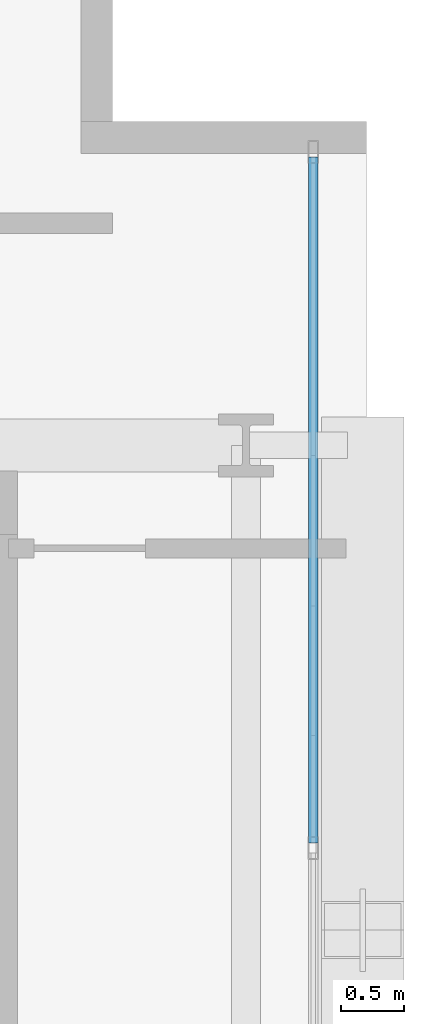
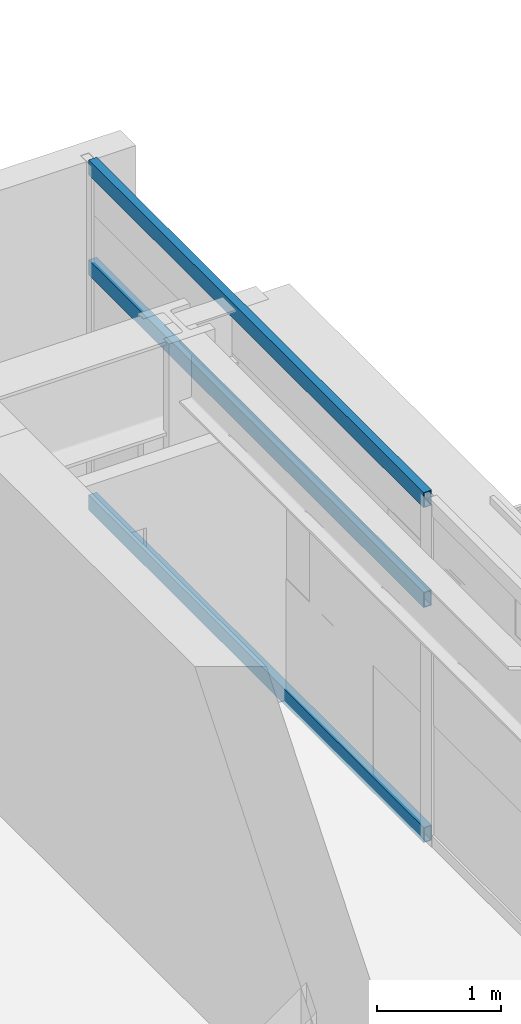
# One storey, part 15 of 31: 3 members, 1 element without a shape of its own.
"""IFC4 building model written with IfcOpenShell, lengths in metres."""

from ifc_helpers import new_model, si_unit, direction, frame, origin, origin_2d, place, context, subcontext, project, spatial, hollow_rectangle, extrude, source, transform, mapped, material, layer, layer_set, material_profile, profile_set, type_object, element, aggregate, save


model = new_model("IFC4")

# Units and contexts
model_context = context("Model", 3, precision=1e-05, world=origin(), true_north=direction((0.0, 1.0)))
body_context = subcontext(model_context, "Body", "Model", "MODEL_VIEW")
ifc_project = project(units=[si_unit("LENGTHUNIT", "METRE"), si_unit("AREAUNIT", "SQUARE_METRE"), si_unit("VOLUMEUNIT", "CUBIC_METRE"), si_unit("PLANEANGLEUNIT", "RADIAN"), si_unit("MASSUNIT", "GRAM", prefix="KILO")], contexts=[model_context])

# Site, building, storey
site_placement = place(None, origin())
site = spatial("IfcSite", under=ifc_project, at=site_placement, CompositionType="ELEMENT")
building_placement = place(site_placement, origin())
building = spatial("IfcBuilding", under=site, at=building_placement, Name="Ocotamira Hotel", CompositionType="ELEMENT")
storey_placement = place(building_placement, frame((0.0, 0.0, 181.199951171875)))
storey = spatial("IfcBuildingStorey", under=building, at=storey_placement, Name="L45", CompositionType="ELEMENT", Elevation=181.199951171875)

# Curtain wall, members
ifc_material_1 = material(Name="Anodised pale-metal aluminium and solar glass", Category="aluminium")
ifc_layer = layer(ifc_material_1, 0.199951171875)
ifc_layer_set = layer_set([ifc_layer], Name="Anodised pale-metal aluminium and solar glass")
curtain_wall_type = type_object("IfcCurtainWallType", Name="CW-SYS4-Z3", PredefinedType="NOTDEFINED", material=ifc_layer_set)
curtain_wall_placement = place(storey_placement, origin())
curtain_wall = element("IfcCurtainWall", 1, at=curtain_wall_placement, inside=storey, type_object=curtain_wall_type, Name="L45 Curtain Wall CW-4 CW-L45-E", PredefinedType="NOTDEFINED")
ifc_material_2 = material(Name="Anodised pale-metal aluminium 6063-T6", Category="aluminium")
ifc_material_profile = material_profile(ifc_material_2, hollow_rectangle(XDim=0.074951171875, YDim=0.14990234375, WallThickness=0.006103515625, at=origin_2d()), Name="HSS150X75X6")
ifc_profile_set = profile_set([ifc_material_profile], Name="Anodised pale-metal aluminium 6063-T6")
member_type = type_object("IfcMemberType", Name="CWT-150X75", PredefinedType="USERDEFINED", material=ifc_profile_set)
shared_shape = source(origin(), body_context, "Body", "SweptSolid", [
    extrude(hollow_rectangle(XDim=0.074951171875, YDim=0.14990234375, WallThickness=0.006103515625, at=origin_2d()), origin(), (0.0, 0.0, 1.0), 5.39990234375),
])
member_1_placement = place(storey_placement, frame((55.580078125, 34.320068359375, 0.03759765625), z_axis=(0.0, 1.0, 0.0), x_axis=(-1.0, 0.0, 0.0)))
member_1 = element("IfcMember", 2, at=member_1_placement, type_object=member_type, Name="CW-4 transom 5.1", ObjectType="TRANSOM", PredefinedType="USERDEFINED", context=body_context, shape_type="MappedRepresentation", body=[
    mapped(shared_shape, transform((0.0, 0.0, 0.0), scale=1.0)),
])
member_2_placement = place(storey_placement, frame((55.580078125, 34.320068359375, 2.35009765625), z_axis=(0.0, 1.0, 0.0), x_axis=(-1.0, 0.0, 0.0)))
member_2 = element("IfcMember", 3, at=member_2_placement, type_object=member_type, Name="CW-4 transom 5.2", ObjectType="TRANSOM", PredefinedType="USERDEFINED", context=body_context, shape_type="MappedRepresentation", body=[
    mapped(shared_shape, transform((0.0, 0.0, 0.0), scale=1.0)),
])
member_3_placement = place(storey_placement, frame((55.580078125, 34.320068359375, 3.33251953125), z_axis=(0.0, 1.0, 0.0), x_axis=(-1.0, 0.0, 0.0)))
member_3 = element("IfcMember", 4, at=member_3_placement, type_object=member_type, Name="CW-4 transom 5.3", ObjectType="TRANSOM", PredefinedType="USERDEFINED", context=body_context, shape_type="MappedRepresentation", body=[
    mapped(shared_shape, transform((0.0, 0.0, 0.0), scale=1.0)),
])
aggregate(curtain_wall, [member_1, member_2, member_3])

save(model, "model.ifc")
